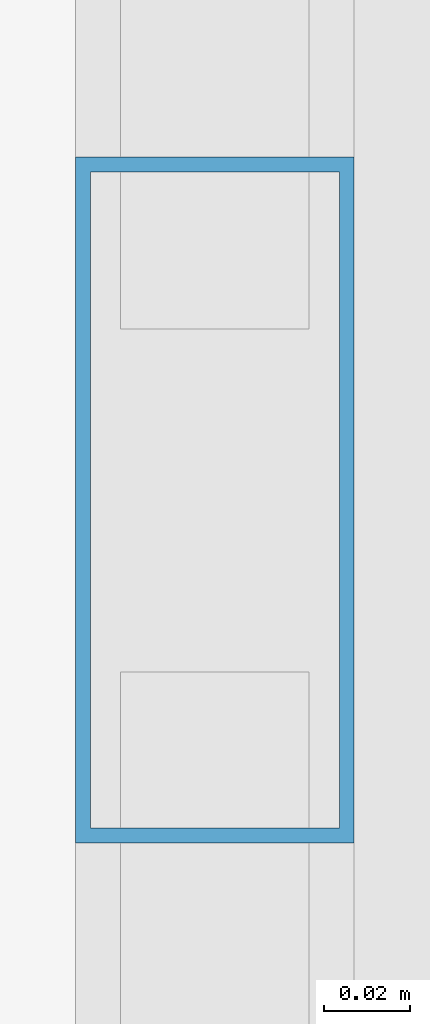
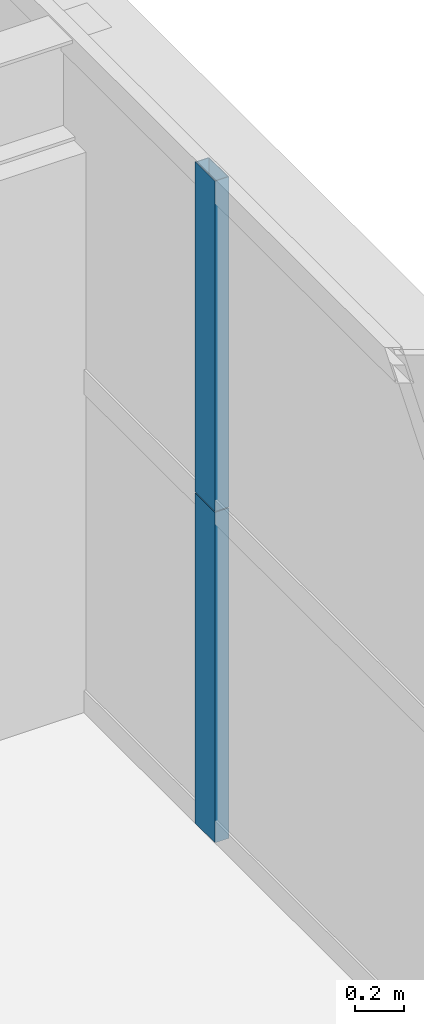
# One storey, part 18 of 38: 2 members, 1 element without a shape of its own.
"""IFC4 building model written with IfcOpenShell, lengths in metres."""

import ifcopenshell
import ifcopenshell.guid

model = None  # the IFC model being written
_history = None  # IfcOwnerHistory: only IFC2X3 demands one
_inside = {}  # id of a spatial element -> (the spatial element, [elements in it])
_under = {}  # id of a project, library or spatial element -> (it, [spatial elements below it])
_declared = {}  # id of a project -> (the project, [libraries it declares])
_typed = {}  # id of a type object -> (the type object, [elements of that type])
_made_of = {}  # id of a material, layer set ... -> (it, [elements and type objects made of it])


def new_model(schema):
    """Start an empty IFC model of exactly this schema.

    Asked for "IFC4X3", IfcOpenShell would pick the latest addendum, in which some entities
    have other attributes; the version numbers below select the first issue.
    IFC2X3 requires an IfcOwnerHistory on every rooted entity: one is made here for all.
    """
    global model, _history
    if schema == "IFC4X3":
        model = ifcopenshell.file(schema_version=(4, 3, 0, 0))
    else:
        model = ifcopenshell.file(schema=schema)
    _inside.clear()
    _under.clear()
    _declared.clear()
    _typed.clear()
    _made_of.clear()
    _history = None
    if model.schema == "IFC2X3":
        org = make("IfcOrganization", Name="unknown")
        user = make(
            "IfcPersonAndOrganization",
            ThePerson=make("IfcPerson", FamilyName="unknown"),
            TheOrganization=org,
        )
        app = make(
            "IfcApplication",
            ApplicationDeveloper=org,
            Version="unknown",
            ApplicationFullName="unknown",
            ApplicationIdentifier="unknown",
        )
        _history = make(
            "IfcOwnerHistory",
            OwningUser=user,
            OwningApplication=app,
            ChangeAction="ADDED",
            CreationDate=0,
        )
    return model


def make(cls, **values):
    """One entity of the class cls with the attributes given. An attribute that is None is left unset."""
    return model.create_entity(
        cls, **{name: value for name, value in values.items() if value is not None}
    )


def rooted(cls, **values):
    """An entity with a GlobalId (a new one), such as an element, a storey or a relation."""
    return make(cls, GlobalId=ifcopenshell.guid.new(), OwnerHistory=_history, **values)


def si_unit(unit_type, name, prefix=None):
    """IfcSIUnit, for example si_unit("LENGTHUNIT", "METRE", prefix="MILLI")."""
    return make("IfcSIUnit", UnitType=unit_type, Prefix=prefix, Name=name)


def assignment(units):
    """IfcUnitAssignment: the units of a project."""
    return None if units is None else make("IfcUnitAssignment", Units=units)


def point(xyz):
    """IfcCartesianPoint."""
    return None if xyz is None else make("IfcCartesianPoint", Coordinates=xyz)


def direction(xyz):
    """IfcDirection."""
    return None if xyz is None else make("IfcDirection", DirectionRatios=xyz)


def frame(location, z_axis=None, x_axis=None):
    """IfcAxis2Placement3D, a coordinate frame: its origin and axes. An axis left out is left unset."""
    return make(
        "IfcAxis2Placement3D",
        Location=point(location),
        Axis=direction(z_axis),
        RefDirection=direction(x_axis),
    )


def frame_2d(location, x_axis=None):
    """IfcAxis2Placement2D, a coordinate frame in the plane: its origin and x axis."""
    return make(
        "IfcAxis2Placement2D", Location=point(location), RefDirection=direction(x_axis)
    )


def origin():
    """The frame at (0, 0, 0) with its axes left unset."""
    return frame((0.0, 0.0, 0.0))


def origin_2d():
    """The frame at (0, 0) in the plane with its x axis left unset."""
    return frame_2d((0.0, 0.0))


def place(relative_to, where):
    """IfcLocalPlacement: puts the frame where relative to a parent placement (None: the world)."""
    return make(
        "IfcLocalPlacement", PlacementRelTo=relative_to, RelativePlacement=where
    )


def context(
    kind, dimensions, precision=None, world=None, true_north=None, identifier=None
):
    """IfcGeometricRepresentationContext, for example the 3D "Model" context."""
    return make(
        "IfcGeometricRepresentationContext",
        ContextIdentifier=identifier,
        ContextType=kind,
        CoordinateSpaceDimension=dimensions,
        Precision=precision,
        WorldCoordinateSystem=world,
        TrueNorth=true_north,
    )


def subcontext(parent, identifier, kind, view, scale=None):
    """IfcGeometricRepresentationSubContext, for example "Body" below "Model"."""
    return make(
        "IfcGeometricRepresentationSubContext",
        ContextIdentifier=identifier,
        ContextType=kind,
        ParentContext=parent,
        TargetScale=scale,
        TargetView=view,
    )


def project(units=None, contexts=None):
    """IfcProject with its units and contexts."""
    return rooted(
        "IfcProject",
        Name="project",
        RepresentationContexts=contexts,
        UnitsInContext=assignment(units),
    )


def spatial(cls, under=None, at=None, **own):
    """A site, building, storey or space (cls), placed at a placement, below another one or the project."""
    s = rooted(cls, ObjectPlacement=at, **own)
    if under is not None:
        _under.setdefault(under.id(), (under, []))[1].append(s)
    return s


def profile(cls, at=None, kind="AREA", **sizes):
    """A parametric profile (cls). Its sizes go by their IFC names, for example OverallWidth=200.0."""
    return make(cls, ProfileType=kind, Position=at, **sizes)


def hollow_rectangle(**sizes):
    """IfcRectangleHollowProfileDef."""
    return profile("IfcRectangleHollowProfileDef", **sizes)


def extrude(swept, where, along, depth):
    """IfcExtrudedAreaSolid: the profile swept, set in the frame where, extruded along a direction by depth."""
    return make(
        "IfcExtrudedAreaSolid",
        SweptArea=swept,
        Position=where,
        ExtrudedDirection=direction(along),
        Depth=depth,
    )


def shape(context_of_items, identifier, shape_type, items):
    """IfcShapeRepresentation: the items that make up one representation, for example the "Body"."""
    return make(
        "IfcShapeRepresentation",
        ContextOfItems=context_of_items,
        RepresentationIdentifier=identifier,
        RepresentationType=shape_type,
        Items=items,
    )


def source(mapping_origin, context_of_items, identifier, shape_type, items):
    """IfcRepresentationMap: a shape defined once, which mapped items show again and again."""
    return make(
        "IfcRepresentationMap",
        MappingOrigin=mapping_origin,
        MappedRepresentation=shape(context_of_items, identifier, shape_type, items),
    )


def transform(
    local_origin,
    x_axis=None,
    y_axis=None,
    z_axis=None,
    scale=None,
    scale2=None,
    scale3=None,
    uniform=True,
):
    """IfcCartesianTransformationOperator3D, or its non-uniform kind. x_axis, y_axis, z_axis: its Axis1, 2, 3."""
    if uniform:
        return make(
            "IfcCartesianTransformationOperator3D",
            Axis1=direction(x_axis),
            Axis2=direction(y_axis),
            LocalOrigin=point(local_origin),
            Scale=scale,
            Axis3=direction(z_axis),
        )
    return make(
        "IfcCartesianTransformationOperator3DnonUniform",
        Axis1=direction(x_axis),
        Axis2=direction(y_axis),
        LocalOrigin=point(local_origin),
        Scale=scale,
        Axis3=direction(z_axis),
        Scale2=scale2,
        Scale3=scale3,
    )


def mapped(mapping_source, mapping_target):
    """IfcMappedItem: shows the shape of a source again, moved by a transform."""
    return make(
        "IfcMappedItem", MappingSource=mapping_source, MappingTarget=mapping_target
    )


def material(Name=None, Category=None):
    """IfcMaterial."""
    return make("IfcMaterial", Name=Name, Category=Category)


def layer(
    of_material, thickness, ventilated=None, Name=None, Category=None, Priority=None
):
    """IfcMaterialLayer: one layer of a wall or slab, of a material (None: an air gap)."""
    return make(
        "IfcMaterialLayer",
        Material=of_material,
        LayerThickness=thickness,
        IsVentilated=ventilated,
        Name=Name,
        Category=Category,
        Priority=Priority,
    )


def layer_set(layers, Name=None):
    """IfcMaterialLayerSet."""
    return make("IfcMaterialLayerSet", MaterialLayers=layers, LayerSetName=Name)


def material_profile(
    of_material, cross_section, Name=None, Category=None, Priority=None
):
    """IfcMaterialProfile: a cross section and its material."""
    return make(
        "IfcMaterialProfile",
        Name=Name,
        Material=of_material,
        Profile=cross_section,
        Priority=Priority,
        Category=Category,
    )


def profile_set(profiles, Name=None, composite=None):
    """IfcMaterialProfileSet."""
    return make(
        "IfcMaterialProfileSet",
        Name=Name,
        MaterialProfiles=profiles,
        CompositeProfile=composite,
    )


def made_of(thing, what):
    """Note that an element or type object is made of a material, layer set ...; save() writes the relation."""
    if what is not None:
        _made_of.setdefault(what.id(), (what, []))[1].append(thing)
    return thing


def type_object(cls, material=None, **own):
    """A type object (cls), such as IfcWallType, which elements share."""
    return made_of(rooted(cls, **own), material)


def element(
    cls,
    number,
    at=None,
    inside=None,
    cuts=None,
    type_object=None,
    material=None,
    context=None,
    identifier="Body",
    shape_type=None,
    held_by="IfcProductDefinitionShape",
    body=None,
    shapes=None,
    **own,
):
    """One element of the class cls, such as IfcWall. Its Tag is "e" and its number.

    at: its placement. inside: the storey or other place that contains it. cuts: it is an
    opening in that element (IfcRelVoidsElement). A single representation is given by context,
    identifier, shape_type and body (its items); several are given by shapes. held_by: the class
    of the entity that holds the representations. save() writes the other relations.
    """
    e = rooted(cls, Tag="e%d" % number, ObjectPlacement=at, **own)
    if body is not None:
        shapes = [shape(context, identifier, shape_type, body)]
    if shapes is not None:
        e.Representation = make(held_by, Representations=shapes)
    if inside is not None:
        _inside.setdefault(inside.id(), (inside, []))[1].append(e)
    if cuts is not None:
        rooted(
            "IfcRelVoidsElement", RelatingBuildingElement=cuts, RelatedOpeningElement=e
        )
    if type_object is not None:
        _typed.setdefault(type_object.id(), (type_object, []))[1].append(e)
    return made_of(e, material)


def aggregate(whole, parts):
    """IfcRelAggregates: a whole, such as a stair, and the parts it consists of."""
    return rooted("IfcRelAggregates", RelatingObject=whole, RelatedObjects=parts)


def save(model, path):
    """Write the relations noted so far, then the file.

    IfcRelAggregates (storeys below a building ...), IfcRelContainedInSpatialStructure (elements
    in a storey), IfcRelDefinesByType, IfcRelAssociatesMaterial and IfcRelDeclares: one each for
    every whole, place, type object, material and project.
    """
    for whole, parts in _under.values():
        aggregate(whole, parts)
    for where, things in _inside.values():
        rooted(
            "IfcRelContainedInSpatialStructure",
            RelatedElements=things,
            RelatingStructure=where,
        )
    for kind, things in _typed.values():
        rooted("IfcRelDefinesByType", RelatedObjects=things, RelatingType=kind)
    for what, things in _made_of.values():
        rooted("IfcRelAssociatesMaterial", RelatedObjects=things, RelatingMaterial=what)
    for by, libraries in _declared.values():
        rooted("IfcRelDeclares", RelatingContext=by, RelatedDefinitions=libraries)
    model.write(path)


model = new_model("IFC4")

# Units and contexts
model_context = context("Model", 3, precision=1e-05, world=origin(), true_north=direction((0.0, 1.0)))
body_context = subcontext(model_context, "Body", "Model", "MODEL_VIEW")
ifc_project = project(units=[si_unit("LENGTHUNIT", "METRE"), si_unit("AREAUNIT", "SQUARE_METRE"), si_unit("VOLUMEUNIT", "CUBIC_METRE"), si_unit("PLANEANGLEUNIT", "RADIAN"), si_unit("MASSUNIT", "GRAM", prefix="KILO"), si_unit("THERMODYNAMICTEMPERATUREUNIT", "KELVIN"), si_unit("POWERUNIT", "WATT")], contexts=[model_context])

# Site, building, storey
site_placement = place(None, origin())
site = spatial("IfcSite", under=ifc_project, at=site_placement, CompositionType="ELEMENT")
building_placement = place(site_placement, origin())
building = spatial("IfcBuilding", under=site, at=building_placement, Name="Yuzanri Waterfront Tower", CompositionType="ELEMENT")
storey_placement = place(building_placement, frame((0.0, 0.0, 181.0)))
storey = spatial("IfcBuildingStorey", under=building, at=storey_placement, Name="L47", CompositionType="ELEMENT", Elevation=181.0)

# Curtain wall, members
ifc_material_1 = material(Name="Anodized Architectural Bronze", Category="metal")
ifc_layer = layer(ifc_material_1, 0.159912109375)
ifc_layer_set = layer_set([ifc_layer], Name="Anodized Architectural Bronze")
curtain_wall_type = type_object("IfcCurtainWallType", Name="Anodized Bronze Mid-Rise Residential Acoustic Unitized Curtain Wall 7200", PredefinedType="NOTDEFINED", material=ifc_layer_set)
curtain_wall_placement = place(storey_placement, origin())
curtain_wall = element("IfcCurtainWall", 1, at=curtain_wall_placement, inside=storey, type_object=curtain_wall_type, Name="L47 Curtain Wall CW-L47-EL", PredefinedType="NOTDEFINED")
ifc_material_2 = material(Name="Anodized Architectural Bronze", Category="metal")
ifc_material_profile = material_profile(ifc_material_2, hollow_rectangle(XDim=0.06494140625, YDim=0.159912109375, WallThickness=0.00341796875, at=origin_2d()), Name="CWM 65x160")
ifc_profile_set = profile_set([ifc_material_profile], Name="Anodized Architectural Bronze")
member_type = type_object("IfcMemberType", Name="Anodized Bronze Upper-Zone Curtain-Wall Mullion 65x160", PredefinedType="MULLION", material=ifc_profile_set)
shared_shape = source(origin(), body_context, "Body", "SweptSolid", [
    extrude(hollow_rectangle(XDim=0.06494140625, YDim=0.159912109375, WallThickness=0.00341796875, at=origin_2d()), origin(), (0.0, 0.0, 1.0), 1.637939453125),
])
member_1_placement = place(storey_placement, frame((58.949951171875, 18.22509765625, 0.0), z_axis=(0.0, 0.0, 1.0), x_axis=(1.0, 0.0, 0.0)))
member_1 = element("IfcMember", 2, at=member_1_placement, type_object=member_type, Name="CW-L47-EL Lower Mullion 01", PredefinedType="MULLION", context=body_context, shape_type="MappedRepresentation", body=[
    mapped(shared_shape, transform((0.0, 0.0, 0.0), scale=1.0)),
])
member_2_placement = place(storey_placement, frame((58.949951171875, 18.22509765625, 1.64208984375), z_axis=(0.0, 0.0, 1.0), x_axis=(1.0, 0.0, 0.0)))
member_2 = element("IfcMember", 3, at=member_2_placement, type_object=member_type, Name="CW-L47-EL Upper Mullion 01", PredefinedType="MULLION", context=body_context, shape_type="MappedRepresentation", body=[
    mapped(shared_shape, transform((0.0, 0.0, 0.0), scale=1.0)),
])
aggregate(curtain_wall, [member_1, member_2])

save(model, "model.ifc")
